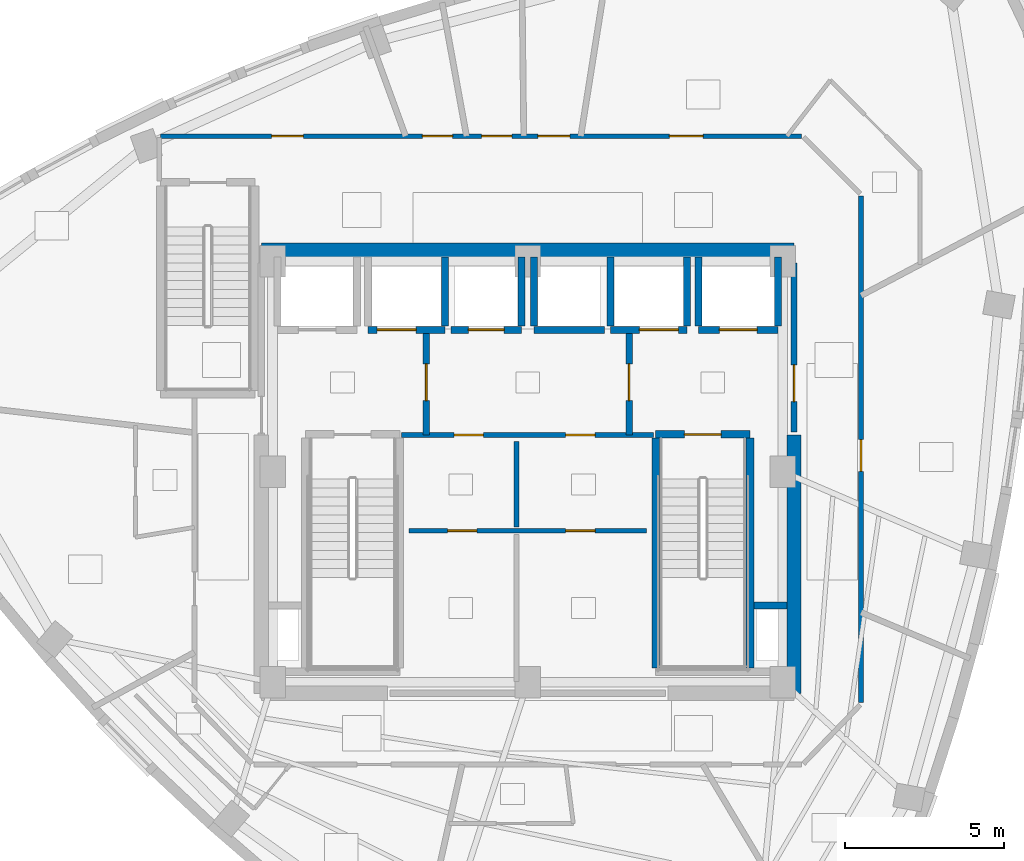
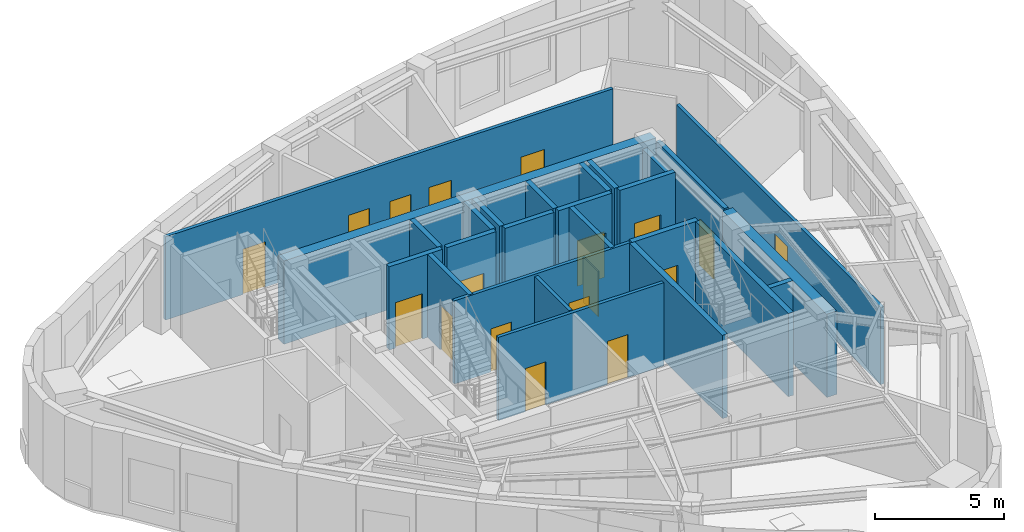
# One storey, part 4 of 9: 26 walls, 18 doors, 18 openings.
"""IFC4 building model written with IfcOpenShell, lengths in metres."""

from ifc_helpers import new_model, si_unit, direction, frame, frame_2d, origin, place, context, subcontext, project, spatial, rectangle, extrude, material, layer, layer_set, type_object, element, fill, save


model = new_model("IFC4")

# Units and contexts
model_context = context("Model", 3, precision=1e-05, world=origin(), true_north=direction((0.0, 1.0)))
body_context = subcontext(model_context, "Body", "Model", "MODEL_VIEW")
ifc_project = project(units=[si_unit("LENGTHUNIT", "METRE"), si_unit("AREAUNIT", "SQUARE_METRE"), si_unit("VOLUMEUNIT", "CUBIC_METRE"), si_unit("PLANEANGLEUNIT", "RADIAN"), si_unit("MASSUNIT", "GRAM", prefix="KILO")], contexts=[model_context])

# Site, building, storey
site_placement = place(None, origin())
site = spatial("IfcSite", under=ifc_project, at=site_placement, CompositionType="ELEMENT")
building_placement = place(site_placement, origin())
building = spatial("IfcBuilding", under=site, at=building_placement, Name="Ndelora Gate Hotel", CompositionType="ELEMENT")
storey_placement = place(building_placement, frame((0.0, 0.0, 260.199951171875)))
storey = spatial("IfcBuildingStorey", under=building, at=storey_placement, Name="L65", CompositionType="ELEMENT", Elevation=260.199951171875)

# Walls
ifc_material_1 = material(Name="Concrete C50/60", Category="concrete")
ifc_layer_1 = layer(ifc_material_1, 0.449951171875)
ifc_layer_set_1 = layer_set([ifc_layer_1], Name="Concrete C50/60")
wall_type_1 = type_object("IfcWallType", Name="WL-CORE-450", PredefinedType="SHEAR", material=ifc_layer_set_1)
wall_1_placement = place(storey_placement, frame((-8.35009765625, 6.949951171875, 0.0), z_axis=(0.0, 0.0, 1.0), x_axis=(1.0, 0.0, 0.0)))
element("IfcWall", 1, at=wall_1_placement, inside=storey, type_object=wall_type_1, Name="L65 Core Shear Wall N", PredefinedType="SHEAR", context=body_context, shape_type="SweptSolid", body=[
    extrude(rectangle(XDim=16.7001953125, YDim=0.449951171875, at=frame_2d((8.35009765625, 0.0))), origin(), (0.0, 0.0, 1.0), 3.949951171875),
])
wall_2_placement = place(storey_placement, frame((8.35009765625, -6.949951171875, 0.0), z_axis=(0.0, 0.0, 1.0), x_axis=(0.0, 1.0, 0.0)))
element("IfcWall", 2, at=wall_2_placement, inside=storey, type_object=wall_type_1, Name="L65 Core Shear Wall E", PredefinedType="SHEAR", context=body_context, shape_type="SweptSolid", body=[
    extrude(rectangle(XDim=8.099853515625, YDim=0.449951171875, at=frame_2d((4.0498046875, 0.0))), origin(), (0.0, 0.0, 1.0), 3.949951171875),
])

# Wall, opening, door
ifc_material_2 = material(Name="Concrete C40/50", Category="concrete")
ifc_layer_2 = layer(ifc_material_2, 0.199951171875)
ifc_layer_set_2 = layer_set([ifc_layer_2], Name="Concrete C40/50")
wall_type_2 = type_object("IfcWallType", Name="WL-FIRE-200", PredefinedType="PARTITIONING", material=ifc_layer_set_2)
wall_3_placement = place(storey_placement, frame((-3.179931640625, 1.14990234375, 0.0), z_axis=(0.0, 0.0, 1.0), x_axis=(0.0, 1.0, 0.0)))
wall_3 = element("IfcWall", 3, at=wall_3_placement, inside=storey, type_object=wall_type_2, Name="L65 Interior Wall IW-2", PredefinedType="PARTITIONING", context=body_context, shape_type="SweptSolid", body=[
    extrude(rectangle(XDim=3.300048828125, YDim=0.199951171875, at=frame_2d((1.64990234375, 0.0))), origin(), (0.0, 0.0, 1.0), 3.949951171875),
])
opening_1_placement = place(wall_3_placement, frame((1.080078125, 0.0, 0.0)))
opening_1 = element("IfcOpeningElement", 4, at=opening_1_placement, cuts=wall_3, Name="Opening FD1", PredefinedType="OPENING", context=body_context, shape_type="SweptSolid", body=[
    extrude(rectangle(XDim=1.14990234375, YDim=2.14990234375, at=frame_2d((0.574951171875, 1.074951171875))), frame((0.0, 0.10986328125, 0.0), z_axis=(0.0, -1.0, 0.0), x_axis=(1.0, 0.0, 0.0)), (0.0, 0.0, 1.0), 0.219970703125),
])
ifc_material_3 = material(Name="Fire-Rated Timber-Veneer Steel Core", Category="steel")
door_type_1 = type_object("IfcDoorType", Name="DR-FD60", OperationType="SINGLE_SWING_LEFT", PredefinedType="DOOR", material=ifc_material_3)
door_1_placement = place(opening_1_placement, origin())
door_1 = element("IfcDoor", 5, at=door_1_placement, inside=storey, type_object=door_type_1, Name="L65 Firefighting Lobby West Door", OperationType="SINGLE_SWING_RIGHT", OverallHeight=2.14990234375, OverallWidth=1.14990234375, PredefinedType="DOOR", context=body_context, shape_type="SweptSolid", body=[
    extrude(rectangle(XDim=1.14990234375, YDim=2.14990234375, at=frame_2d((0.574951171875, 1.074951171875))), frame((0.0, 0.02490234375, 0.0), z_axis=(0.0, -1.0, 0.0), x_axis=(1.0, 0.0, 0.0)), (0.0, 0.0, 1.0), 0.050048828125),
])
fill(opening_1, door_1)

wall_4_placement = place(storey_placement, frame((3.179931640625, 1.14990234375, 0.0), z_axis=(0.0, 0.0, 1.0), x_axis=(0.0, 1.0, 0.0)))
wall_4 = element("IfcWall", 6, at=wall_4_placement, inside=storey, type_object=wall_type_2, Name="L65 Interior Wall IW-2", PredefinedType="PARTITIONING", context=body_context, shape_type="SweptSolid", body=[
    extrude(rectangle(XDim=3.300048828125, YDim=0.199951171875, at=frame_2d((1.64990234375, 0.0))), origin(), (0.0, 0.0, 1.0), 3.949951171875),
])
opening_2_placement = place(wall_4_placement, frame((1.080078125, 0.0, 0.0)))
opening_2 = element("IfcOpeningElement", 7, at=opening_2_placement, cuts=wall_4, Name="Opening FD1", PredefinedType="OPENING", context=body_context, shape_type="SweptSolid", body=[
    extrude(rectangle(XDim=1.14990234375, YDim=2.14990234375, at=frame_2d((0.574951171875, 1.074951171875))), frame((0.0, 0.10986328125, 0.0), z_axis=(0.0, -1.0, 0.0), x_axis=(1.0, 0.0, 0.0)), (0.0, 0.0, 1.0), 0.219970703125),
])
door_2_placement = place(opening_2_placement, origin())
door_2 = element("IfcDoor", 8, at=door_2_placement, inside=storey, type_object=door_type_1, Name="L65 Firefighting Lobby East Door", OperationType="SINGLE_SWING_LEFT", OverallHeight=2.14990234375, OverallWidth=1.14990234375, PredefinedType="DOOR", context=body_context, shape_type="SweptSolid", body=[
    extrude(rectangle(XDim=1.14990234375, YDim=2.14990234375, at=frame_2d((0.574951171875, 1.074951171875))), frame((0.0, 0.02490234375, 0.0), z_axis=(0.0, -1.0, 0.0), x_axis=(1.0, 0.0, 0.0)), (0.0, 0.0, 1.0), 0.050048828125),
])
fill(opening_2, door_2)

wall_5_placement = place(storey_placement, frame((8.35009765625, 1.25, 0.0), z_axis=(0.0, 0.0, 1.0), x_axis=(0.0, 1.0, 0.0)))
wall_5 = element("IfcWall", 9, at=wall_5_placement, inside=storey, type_object=wall_type_2, Name="L65 Interior Wall IW-2", PredefinedType="PARTITIONING", context=body_context, shape_type="SweptSolid", body=[
    extrude(rectangle(XDim=5.300048828125, YDim=0.199951171875, at=frame_2d((2.64990234375, 0.0))), origin(), (0.0, 0.0, 1.0), 3.949951171875),
])
opening_3_placement = place(wall_5_placement, frame((0.949951171875, 0.0, 0.0)))
opening_3 = element("IfcOpeningElement", 10, at=opening_3_placement, cuts=wall_5, Name="Opening FD1", PredefinedType="OPENING", context=body_context, shape_type="SweptSolid", body=[
    extrude(rectangle(XDim=1.14990234375, YDim=2.14990234375, at=frame_2d((0.574951171875, 1.074951171875))), frame((0.0, 0.10986328125, 0.0), z_axis=(0.0, -1.0, 0.0), x_axis=(1.0, 0.0, 0.0)), (0.0, 0.0, 1.0), 0.219970703125),
])
door_3_placement = place(opening_3_placement, origin())
door_3 = element("IfcDoor", 11, at=door_3_placement, inside=storey, type_object=door_type_1, Name="L65 Firefighting Lobby East Corridor Door", OperationType="SINGLE_SWING_RIGHT", OverallHeight=2.14990234375, OverallWidth=1.14990234375, PredefinedType="DOOR", context=body_context, shape_type="SweptSolid", body=[
    extrude(rectangle(XDim=1.14990234375, YDim=2.14990234375, at=frame_2d((0.574951171875, 1.074951171875))), frame((0.0, 0.02490234375, 0.0), z_axis=(0.0, -1.0, 0.0), x_axis=(1.0, 0.0, 0.0)), (0.0, 0.0, 1.0), 0.050048828125),
])
fill(opening_3, door_3)

# Wall, openings, doors
ifc_material_4 = material(Name="Fire-Rated Gypsum Stud Partition", Category="gypsum")
ifc_layer_3 = layer(ifc_material_4, 0.14990234375)
ifc_layer_set_3 = layer_set([ifc_layer_3], Name="Fire-Rated Gypsum Stud Partition")
wall_type_3 = type_object("IfcWallType", Name="WL-PART-150", PredefinedType="PARTITIONING", material=ifc_layer_set_3)
wall_6_placement = place(storey_placement, frame((3.949951171875, 1.14990234375, 0.0), z_axis=(0.0, 0.0, 1.0), x_axis=(-1.0, 0.0, 0.0)))
wall_6 = element("IfcWall", 12, at=wall_6_placement, inside=storey, type_object=wall_type_3, Name="L65 Interior Wall IW-5", PredefinedType="PARTITIONING", context=body_context, shape_type="SweptSolid", body=[
    extrude(rectangle(XDim=7.89990234375, YDim=0.14990234375, at=frame_2d((3.949951171875, 0.0))), origin(), (0.0, 0.0, 1.0), 3.949951171875),
])
opening_4_placement = place(wall_6_placement, frame((5.340087890625, 0.0, 0.0)))
opening_4 = element("IfcOpeningElement", 13, at=opening_4_placement, cuts=wall_6, Name="Opening D04", PredefinedType="OPENING", context=body_context, shape_type="SweptSolid", body=[
    extrude(rectangle(XDim=0.919921875, YDim=2.050048828125, at=frame_2d((0.4599609375, 1.02490234375))), frame((0.0, 0.0849609375, 0.0), z_axis=(0.0, -1.0, 0.0), x_axis=(1.0, 0.0, 0.0)), (0.0, 0.0, 1.0), 0.169921875),
])
opening_5_placement = place(wall_6_placement, frame((1.840087890625, 0.0, 0.0)))
opening_5 = element("IfcOpeningElement", 14, at=opening_5_placement, cuts=wall_6, Name="Opening D04", PredefinedType="OPENING", context=body_context, shape_type="SweptSolid", body=[
    extrude(rectangle(XDim=0.919921875, YDim=2.050048828125, at=frame_2d((0.4599609375, 1.02490234375))), frame((0.0, 0.0849609375, 0.0), z_axis=(0.0, -1.0, 0.0), x_axis=(1.0, 0.0, 0.0)), (0.0, 0.0, 1.0), 0.169921875),
])
ifc_material_5 = material(Name="Painted Steel Core Service Door", Category="steel")
door_type_2 = type_object("IfcDoorType", Name="DR-SER-920", OperationType="SINGLE_SWING_LEFT", PredefinedType="DOOR", material=ifc_material_5)
door_4_placement = place(opening_4_placement, origin())
door_4 = element("IfcDoor", 15, at=door_4_placement, inside=storey, type_object=door_type_2, Name="L65 Core Electrical Closet Door", OperationType="SINGLE_SWING_LEFT", OverallHeight=2.050048828125, OverallWidth=0.919921875, PredefinedType="DOOR", context=body_context, shape_type="SweptSolid", body=[
    extrude(rectangle(XDim=0.919921875, YDim=2.050048828125, at=frame_2d((0.4599609375, 1.02490234375))), frame((0.0, 0.02490234375, 0.0), z_axis=(0.0, -1.0, 0.0), x_axis=(1.0, 0.0, 0.0)), (0.0, 0.0, 1.0), 0.050048828125),
])
fill(opening_4, door_4)
door_5_placement = place(opening_5_placement, origin())
door_5 = element("IfcDoor", 16, at=door_5_placement, inside=storey, type_object=door_type_2, Name="L65 Comms Patching Store Door", OperationType="SINGLE_SWING_RIGHT", OverallHeight=2.050048828125, OverallWidth=0.919921875, PredefinedType="DOOR", context=body_context, shape_type="SweptSolid", body=[
    extrude(rectangle(XDim=0.919921875, YDim=2.050048828125, at=frame_2d((0.4599609375, 1.02490234375))), frame((0.0, 0.02490234375, 0.0), z_axis=(0.0, -1.0, 0.0), x_axis=(1.0, 0.0, 0.0)), (0.0, 0.0, 1.0), 0.050048828125),
])
fill(opening_5, door_5)

wall_7_placement = place(storey_placement, frame((-3.719970703125, -1.85009765625, 0.0), z_axis=(0.0, 0.0, 1.0), x_axis=(1.0, 0.0, 0.0)))
wall_7 = element("IfcWall", 17, at=wall_7_placement, inside=storey, type_object=wall_type_3, Name="L65 Interior Wall IW-5", PredefinedType="PARTITIONING", context=body_context, shape_type="SweptSolid", body=[
    extrude(rectangle(XDim=7.43994140625, YDim=0.14990234375, at=frame_2d((3.719970703125, 0.0))), origin(), (0.0, 0.0, 1.0), 3.949951171875),
])
opening_6_placement = place(wall_7_placement, frame((1.2099609375, 0.0, 0.0)))
opening_6 = element("IfcOpeningElement", 18, at=opening_6_placement, cuts=wall_7, Name="Opening D04", PredefinedType="OPENING", context=body_context, shape_type="SweptSolid", body=[
    extrude(rectangle(XDim=0.919921875, YDim=2.050048828125, at=frame_2d((0.4599609375, 1.02490234375))), frame((0.0, 0.0849609375, 0.0), z_axis=(0.0, -1.0, 0.0), x_axis=(1.0, 0.0, 0.0)), (0.0, 0.0, 1.0), 0.169921875),
])
opening_7_placement = place(wall_7_placement, frame((4.909912109375, 0.0, 0.0)))
opening_7 = element("IfcOpeningElement", 19, at=opening_7_placement, cuts=wall_7, Name="Opening D04", PredefinedType="OPENING", context=body_context, shape_type="SweptSolid", body=[
    extrude(rectangle(XDim=0.919921875, YDim=2.050048828125, at=frame_2d((0.4599609375, 1.02490234375))), frame((0.0, 0.0849609375, 0.0), z_axis=(0.0, -1.0, 0.0), x_axis=(1.0, 0.0, 0.0)), (0.0, 0.0, 1.0), 0.169921875),
])
door_6_placement = place(opening_6_placement, origin())
door_6 = element("IfcDoor", 20, at=door_6_placement, inside=storey, type_object=door_type_2, Name="L65 Core Service Internal Door", OperationType="SINGLE_SWING_LEFT", OverallHeight=2.050048828125, OverallWidth=0.919921875, PredefinedType="DOOR", context=body_context, shape_type="SweptSolid", body=[
    extrude(rectangle(XDim=0.919921875, YDim=2.050048828125, at=frame_2d((0.4599609375, 1.02490234375))), frame((0.0, 0.02490234375, 0.0), z_axis=(0.0, -1.0, 0.0), x_axis=(1.0, 0.0, 0.0)), (0.0, 0.0, 1.0), 0.050048828125),
])
fill(opening_6, door_6)
door_7_placement = place(opening_7_placement, origin())
door_7 = element("IfcDoor", 21, at=door_7_placement, inside=storey, type_object=door_type_2, Name="L65 Core Service Internal Door", OperationType="SINGLE_SWING_LEFT", OverallHeight=2.050048828125, OverallWidth=0.919921875, PredefinedType="DOOR", context=body_context, shape_type="SweptSolid", body=[
    extrude(rectangle(XDim=0.919921875, YDim=2.050048828125, at=frame_2d((0.4599609375, 1.02490234375))), frame((0.0, 0.02490234375, 0.0), z_axis=(0.0, -1.0, 0.0), x_axis=(1.0, 0.0, 0.0)), (0.0, 0.0, 1.0), 0.050048828125),
])
fill(opening_7, door_7)

# Wall
wall_8_placement = place(storey_placement, frame((-0.35009765625, -1.72998046875, 0.0), z_axis=(0.0, 0.0, 1.0), x_axis=(0.0, 1.0, 0.0)))
element("IfcWall", 22, at=wall_8_placement, inside=storey, type_object=wall_type_3, Name="L65 Interior Wall IW-5", PredefinedType="PARTITIONING", context=body_context, shape_type="SweptSolid", body=[
    extrude(rectangle(XDim=2.679931640625, YDim=0.14990234375, at=frame_2d((1.33984375, 0.0))), origin(), (0.0, 0.0, 1.0), 3.949951171875),
])

# Wall, opening, door
wall_9_placement = place(storey_placement, frame((10.449951171875, 8.64990234375, 0.0), z_axis=(0.0, 0.0, 1.0), x_axis=(0.0, -1.0, 0.0)))
wall_9 = element("IfcWall", 23, at=wall_9_placement, inside=storey, type_object=wall_type_3, Name="L65 Interior Wall IW-5", PredefinedType="PARTITIONING", context=body_context, shape_type="SweptSolid", body=[
    extrude(rectangle(XDim=15.889892578125, YDim=0.14990234375, at=frame_2d((7.94482421875, 0.0))), origin(), (0.0, 0.0, 1.0), 3.66015625),
])
opening_8_placement = place(wall_9_placement, frame((7.64111328125, 0.0, 0.0)))
opening_8 = element("IfcOpeningElement", 24, at=opening_8_placement, cuts=wall_9, Name="Opening D01", PredefinedType="OPENING", context=body_context, shape_type="SweptSolid", body=[
    extrude(rectangle(XDim=1.0, YDim=2.14990234375, at=frame_2d((0.5, 1.074951171875))), frame((0.0, 0.0849609375, 0.0), z_axis=(0.0, -1.0, 0.0), x_axis=(1.0, 0.0, 0.0)), (0.0, 0.0, 1.0), 0.169921875),
])
ifc_material_6 = material(Name="Acoustic Hardwood Guest Entrance Door", Category="wood")
door_type_3 = type_object("IfcDoorType", Name="DR-COR-1000", OperationType="SINGLE_SWING_LEFT", PredefinedType="DOOR", material=ifc_material_6)
door_8_placement = place(opening_8_placement, origin())
door_8 = element("IfcDoor", 25, at=door_8_placement, inside=storey, type_object=door_type_3, Name="L65 Crown Horizon Salon Entrance Door", OperationType="SINGLE_SWING_RIGHT", OverallHeight=2.14990234375, OverallWidth=1.0, PredefinedType="DOOR", context=body_context, shape_type="SweptSolid", body=[
    extrude(rectangle(XDim=1.0, YDim=2.14990234375, at=frame_2d((0.5, 1.074951171875))), frame((0.0, 0.02490234375, 0.0), z_axis=(0.0, -1.0, 0.0), x_axis=(1.0, 0.0, 0.0)), (0.0, 0.0, 1.0), 0.050048828125),
])
fill(opening_8, door_8)

# Wall, openings, doors
wall_10_placement = place(storey_placement, frame((-11.510009765625, 10.52001953125, 0.0), z_axis=(0.0, 0.0, 1.0), x_axis=(1.0, 0.0, 0.0)))
wall_10 = element("IfcWall", 26, at=wall_10_placement, inside=storey, type_object=wall_type_3, Name="L65 Interior Wall IW-5", PredefinedType="PARTITIONING", context=body_context, shape_type="SweptSolid", body=[
    extrude(rectangle(XDim=20.090087890625, YDim=0.14990234375, at=frame_2d((10.044921875, 0.0))), origin(), (0.0, 0.0, 1.0), 3.949951171875),
])
opening_9_placement = place(wall_10_placement, frame((8.2060546875, 0.0, 0.0)))
opening_9 = element("IfcOpeningElement", 27, at=opening_9_placement, cuts=wall_10, Name="Opening D05", PredefinedType="OPENING", context=body_context, shape_type="SweptSolid", body=[
    extrude(rectangle(XDim=0.949951171875, YDim=2.10009765625, at=frame_2d((0.47509765625, 1.050048828125))), frame((0.0, 0.0849609375, 0.0), z_axis=(0.0, -1.0, 0.0), x_axis=(1.0, 0.0, 0.0)), (0.0, 0.0, 1.0), 0.169921875),
])
opening_10_placement = place(wall_10_placement, frame((10.062744140625, 0.0, 0.0)))
opening_10 = element("IfcOpeningElement", 28, at=opening_10_placement, cuts=wall_10, Name="Opening D05", PredefinedType="OPENING", context=body_context, shape_type="SweptSolid", body=[
    extrude(rectangle(XDim=0.949951171875, YDim=2.10009765625, at=frame_2d((0.47509765625, 1.050048828125))), frame((0.0, 0.0849609375, 0.0), z_axis=(0.0, -1.0, 0.0), x_axis=(1.0, 0.0, 0.0)), (0.0, 0.0, 1.0), 0.169921875),
])
opening_11_placement = place(wall_10_placement, frame((11.831787109375, 0.0, 0.0)))
opening_11 = element("IfcOpeningElement", 29, at=opening_11_placement, cuts=wall_10, Name="Opening D01", PredefinedType="OPENING", context=body_context, shape_type="SweptSolid", body=[
    extrude(rectangle(XDim=1.0, YDim=2.14990234375, at=frame_2d((0.5, 1.074951171875))), frame((0.0, 0.0849609375, 0.0), z_axis=(0.0, -1.0, 0.0), x_axis=(1.0, 0.0, 0.0)), (0.0, 0.0, 1.0), 0.169921875),
])
opening_12_placement = place(wall_10_placement, frame((3.48046875, 0.0, 0.0)))
opening_12 = element("IfcOpeningElement", 30, at=opening_12_placement, cuts=wall_10, Name="Opening D01", PredefinedType="OPENING", context=body_context, shape_type="SweptSolid", body=[
    extrude(rectangle(XDim=1.0, YDim=2.14990234375, at=frame_2d((0.5, 1.074951171875))), frame((0.0, 0.0849609375, 0.0), z_axis=(0.0, -1.0, 0.0), x_axis=(1.0, 0.0, 0.0)), (0.0, 0.0, 1.0), 0.169921875),
])
opening_13_placement = place(wall_10_placement, frame((15.947998046875, 0.0, 0.0)))
opening_13 = element("IfcOpeningElement", 31, at=opening_13_placement, cuts=wall_10, Name="Opening D07", PredefinedType="OPENING", context=body_context, shape_type="SweptSolid", body=[
    extrude(rectangle(XDim=1.06005859375, YDim=2.14990234375, at=frame_2d((0.530029296875, 1.074951171875))), frame((0.0, 0.0849609375, 0.0), z_axis=(0.0, -1.0, 0.0), x_axis=(1.0, 0.0, 0.0)), (0.0, 0.0, 1.0), 0.169921875),
])
ifc_material_7 = material(Name="Accessible Restroom Wide-Clearance Door", Category="wood")
door_type_4 = type_object("IfcDoorType", Name="DR-ACC-950", OperationType="SINGLE_SWING_LEFT", PredefinedType="DOOR", material=ifc_material_7)
door_9_placement = place(opening_9_placement, origin())
door_9 = element("IfcDoor", 32, at=door_9_placement, inside=storey, type_object=door_type_4, Name="L65 Accessible WC Entrance Door", OperationType="SINGLE_SWING_RIGHT", OverallHeight=2.10009765625, OverallWidth=0.949951171875, PredefinedType="DOOR", context=body_context, shape_type="SweptSolid", body=[
    extrude(rectangle(XDim=0.949951171875, YDim=2.10009765625, at=frame_2d((0.47509765625, 1.050048828125))), frame((0.0, 0.02490234375, 0.0), z_axis=(0.0, -1.0, 0.0), x_axis=(1.0, 0.0, 0.0)), (0.0, 0.0, 1.0), 0.050048828125),
])
fill(opening_9, door_9)
door_10_placement = place(opening_10_placement, origin())
door_10 = element("IfcDoor", 33, at=door_10_placement, inside=storey, type_object=door_type_4, Name="L65 Male Public Restroom Entrance Door", OperationType="SINGLE_SWING_LEFT", OverallHeight=2.10009765625, OverallWidth=0.949951171875, PredefinedType="DOOR", context=body_context, shape_type="SweptSolid", body=[
    extrude(rectangle(XDim=0.949951171875, YDim=2.10009765625, at=frame_2d((0.47509765625, 1.050048828125))), frame((0.0, 0.02490234375, 0.0), z_axis=(0.0, -1.0, 0.0), x_axis=(1.0, 0.0, 0.0)), (0.0, 0.0, 1.0), 0.050048828125),
])
fill(opening_10, door_10)
door_11_placement = place(opening_11_placement, origin())
door_11 = element("IfcDoor", 34, at=door_11_placement, inside=storey, type_object=door_type_3, Name="L65 Housekeeping and Linen Room Entrance Door", OperationType="SINGLE_SWING_RIGHT", OverallHeight=2.14990234375, OverallWidth=1.0, PredefinedType="DOOR", context=body_context, shape_type="SweptSolid", body=[
    extrude(rectangle(XDim=1.0, YDim=2.14990234375, at=frame_2d((0.5, 1.074951171875))), frame((0.0, 0.02490234375, 0.0), z_axis=(0.0, -1.0, 0.0), x_axis=(1.0, 0.0, 0.0)), (0.0, 0.0, 1.0), 0.050048828125),
])
fill(opening_11, door_11)
door_12_placement = place(opening_12_placement, origin())
door_12 = element("IfcDoor", 35, at=door_12_placement, inside=storey, type_object=door_type_3, Name="L65 Sky Garden Tea Dining Room Entrance Door", OperationType="SINGLE_SWING_LEFT", OverallHeight=2.14990234375, OverallWidth=1.0, PredefinedType="DOOR", context=body_context, shape_type="SweptSolid", body=[
    extrude(rectangle(XDim=1.0, YDim=2.14990234375, at=frame_2d((0.5, 1.074951171875))), frame((0.0, 0.02490234375, 0.0), z_axis=(0.0, -1.0, 0.0), x_axis=(1.0, 0.0, 0.0)), (0.0, 0.0, 1.0), 0.050048828125),
])
fill(opening_12, door_12)
ifc_material_8 = material(Name="Diplomatic Suite Acoustic Entrance Door", Category="wood")
door_type_5 = type_object("IfcDoorType", Name="DR-SUITE-1060", OperationType="SINGLE_SWING_LEFT", PredefinedType="DOOR", material=ifc_material_8)
door_13_placement = place(opening_13_placement, origin())
door_13 = element("IfcDoor", 36, at=door_13_placement, inside=storey, type_object=door_type_5, Name="L65 Crown Horizon Suite 6804 Entrance Door", OperationType="SINGLE_SWING_RIGHT", OverallHeight=2.14990234375, OverallWidth=1.06005859375, PredefinedType="DOOR", context=body_context, shape_type="SweptSolid", body=[
    extrude(rectangle(XDim=1.06005859375, YDim=2.14990234375, at=frame_2d((0.530029296875, 1.074951171875))), frame((0.0, 0.02490234375, 0.0), z_axis=(0.0, -1.0, 0.0), x_axis=(1.0, 0.0, 0.0)), (0.0, 0.0, 1.0), 0.050048828125),
])
fill(opening_13, door_13)

# Wall
ifc_layer_4 = layer(ifc_material_2, 0.219970703125)
ifc_layer_set_4 = layer_set([ifc_layer_4], Name="Concrete C40/50")
wall_type_4 = type_object("IfcWallType", Name="WL-SHAFT-220", PredefinedType="PARTITIONING", material=ifc_layer_set_4)
wall_11_placement = place(storey_placement, frame((7.090087890625, -4.199951171875, 0.0), z_axis=(0.0, 0.0, 1.0), x_axis=(1.0, 0.0, 0.0)))
element("IfcWall", 37, at=wall_11_placement, inside=storey, type_object=wall_type_4, Name="L65 Interior Wall IW-1", PredefinedType="PARTITIONING", context=body_context, shape_type="SweptSolid", body=[
    extrude(rectangle(XDim=1.034912109375, YDim=0.219970703125, at=frame_2d((0.517578125, 0.0))), origin(), (0.0, 0.0, 1.0), 3.949951171875),
])

# Wall, opening, door
wall_12_placement = place(storey_placement, frame((5.35009765625, 4.449951171875, 0.0), z_axis=(0.0, 0.0, 1.0), x_axis=(1.0, 0.0, 0.0)))
wall_12 = element("IfcWall", 38, at=wall_12_placement, inside=storey, type_object=wall_type_4, Name="L65 Interior Wall IW-1", PredefinedType="PARTITIONING", context=body_context, shape_type="SweptSolid", body=[
    extrude(rectangle(XDim=2.5, YDim=0.219970703125, at=frame_2d((1.25, 0.0))), origin(), (0.0, 0.0, 1.0), 3.949951171875),
])
opening_14_placement = place(wall_12_placement, frame((0.659912109375, 0.0, 0.0)))
opening_14 = element("IfcOpeningElement", 39, at=opening_14_placement, cuts=wall_12, Name="Opening LD5", PredefinedType="OPENING", context=body_context, shape_type="SweptSolid", body=[
    extrude(rectangle(XDim=1.179931640625, YDim=2.14990234375, at=frame_2d((0.58984375, 1.074951171875))), frame((0.0, 0.1201171875, 0.0), z_axis=(0.0, -1.0, 0.0), x_axis=(1.0, 0.0, 0.0)), (0.0, 0.0, 1.0), 0.239990234375),
])
ifc_material_9 = material(Name="Firefighting Lift Stainless Sliding Landing Door", Category="metal")
door_type_6 = type_object("IfcDoorType", Name="DR-LD5", OperationType="DOUBLE_DOOR_SLIDING", PredefinedType="DOOR", material=ifc_material_9)
door_14_placement = place(opening_14_placement, origin())
door_14 = element("IfcDoor", 40, at=door_14_placement, inside=storey, type_object=door_type_6, Name="L65 Lift Landing Sliding Door FFL2", OperationType="DOUBLE_DOOR_SLIDING", OverallHeight=2.14990234375, OverallWidth=1.179931640625, PredefinedType="DOOR", context=body_context, shape_type="SweptSolid", body=[
    extrude(rectangle(XDim=1.179931640625, YDim=2.14990234375, at=frame_2d((0.58984375, 1.074951171875))), frame((0.0, 0.02490234375, 0.0), z_axis=(0.0, -1.0, 0.0), x_axis=(1.0, 0.0, 0.0)), (0.0, 0.0, 1.0), 0.050048828125),
])
fill(opening_14, door_14)

# Walls
wall_13_placement = place(storey_placement, frame((5.35009765625, 4.570068359375, 0.0), z_axis=(0.0, 0.0, 1.0), x_axis=(0.0, 1.0, 0.0)))
element("IfcWall", 41, at=wall_13_placement, inside=storey, type_object=wall_type_4, Name="L65 Interior Wall IW-1", PredefinedType="PARTITIONING", context=body_context, shape_type="SweptSolid", body=[
    extrude(rectangle(XDim=2.155029296875, YDim=0.219970703125, at=frame_2d((1.07763671875, 0.0))), origin(), (0.0, 0.0, 1.0), 3.949951171875),
])
wall_14_placement = place(storey_placement, frame((7.85009765625, 4.570068359375, 0.0), z_axis=(0.0, 0.0, 1.0), x_axis=(0.0, 1.0, 0.0)))
element("IfcWall", 42, at=wall_14_placement, inside=storey, type_object=wall_type_4, Name="L65 Interior Wall IW-1", PredefinedType="PARTITIONING", context=body_context, shape_type="SweptSolid", body=[
    extrude(rectangle(XDim=2.155029296875, YDim=0.219970703125, at=frame_2d((1.07763671875, 0.0))), origin(), (0.0, 0.0, 1.0), 3.630126953125),
])

# Wall, opening, door
wall_15_placement = place(storey_placement, frame((-5.0, 4.449951171875, 0.0), z_axis=(0.0, 0.0, 1.0), x_axis=(1.0, 0.0, 0.0)))
wall_15 = element("IfcWall", 43, at=wall_15_placement, inside=storey, type_object=wall_type_4, Name="L65 Interior Wall IW-1", PredefinedType="PARTITIONING", context=body_context, shape_type="SweptSolid", body=[
    extrude(rectangle(XDim=2.39990234375, YDim=0.219970703125, at=frame_2d((1.199951171875, 0.0))), origin(), (0.0, 0.0, 1.0), 3.949951171875),
])
opening_15_placement = place(wall_15_placement, frame((0.280029296875, 0.0, 0.0)))
opening_15 = element("IfcOpeningElement", 44, at=opening_15_placement, cuts=wall_15, Name="Opening LD6", PredefinedType="OPENING", context=body_context, shape_type="SweptSolid", body=[
    extrude(rectangle(XDim=1.219970703125, YDim=2.14990234375, at=frame_2d((0.60986328125, 1.074951171875))), frame((0.0, 0.1201171875, 0.0), z_axis=(0.0, -1.0, 0.0), x_axis=(1.0, 0.0, 0.0)), (0.0, 0.0, 1.0), 0.239990234375),
])
ifc_material_10 = material(Name="Heavy-Duty Service Lift Sliding Landing Door", Category="wood")
door_type_7 = type_object("IfcDoorType", Name="DR-LD6", OperationType="DOUBLE_DOOR_SLIDING", PredefinedType="DOOR", material=ifc_material_10)
door_15_placement = place(opening_15_placement, origin())
door_15 = element("IfcDoor", 45, at=door_15_placement, inside=storey, type_object=door_type_7, Name="L65 Lift Landing Sliding Door SVL1", OperationType="DOUBLE_DOOR_SLIDING", OverallHeight=2.14990234375, OverallWidth=1.219970703125, PredefinedType="DOOR", context=body_context, shape_type="SweptSolid", body=[
    extrude(rectangle(XDim=1.219970703125, YDim=2.14990234375, at=frame_2d((0.60986328125, 1.074951171875))), frame((0.0, 0.02490234375, 0.0), z_axis=(0.0, -1.0, 0.0), x_axis=(1.0, 0.0, 0.0)), (0.0, 0.0, 1.0), 0.050048828125),
])
fill(opening_15, door_15)

# Wall
wall_16_placement = place(storey_placement, frame((-2.60009765625, 4.570068359375, 0.0), z_axis=(0.0, 0.0, 1.0), x_axis=(0.0, 1.0, 0.0)))
element("IfcWall", 46, at=wall_16_placement, inside=storey, type_object=wall_type_4, Name="L65 Interior Wall IW-1", PredefinedType="PARTITIONING", context=body_context, shape_type="SweptSolid", body=[
    extrude(rectangle(XDim=2.155029296875, YDim=0.219970703125, at=frame_2d((1.07763671875, 0.0))), origin(), (0.0, 0.0, 1.0), 3.949951171875),
])

# Wall, opening, door
wall_17_placement = place(storey_placement, frame((2.60009765625, 4.449951171875, 0.0), z_axis=(0.0, 0.0, 1.0), x_axis=(1.0, 0.0, 0.0)))
wall_17 = element("IfcWall", 47, at=wall_17_placement, inside=storey, type_object=wall_type_4, Name="L65 Interior Wall IW-1", PredefinedType="PARTITIONING", context=body_context, shape_type="SweptSolid", body=[
    extrude(rectangle(XDim=2.39990234375, YDim=0.219970703125, at=frame_2d((1.199951171875, 0.0))), origin(), (0.0, 0.0, 1.0), 3.949951171875),
])
opening_16_placement = place(wall_17_placement, frame((0.89990234375, 0.0, 0.0)))
opening_16 = element("IfcOpeningElement", 48, at=opening_16_placement, cuts=wall_17, Name="Opening LD6", PredefinedType="OPENING", context=body_context, shape_type="SweptSolid", body=[
    extrude(rectangle(XDim=1.219970703125, YDim=2.14990234375, at=frame_2d((0.60986328125, 1.074951171875))), frame((0.0, 0.1201171875, 0.0), z_axis=(0.0, -1.0, 0.0), x_axis=(1.0, 0.0, 0.0)), (0.0, 0.0, 1.0), 0.239990234375),
])
door_16_placement = place(opening_16_placement, origin())
door_16 = element("IfcDoor", 49, at=door_16_placement, inside=storey, type_object=door_type_7, Name="L65 Lift Landing Sliding Door SVL2", OperationType="DOUBLE_DOOR_SLIDING", OverallHeight=2.14990234375, OverallWidth=1.219970703125, PredefinedType="DOOR", context=body_context, shape_type="SweptSolid", body=[
    extrude(rectangle(XDim=1.219970703125, YDim=2.14990234375, at=frame_2d((0.60986328125, 1.074951171875))), frame((0.0, 0.02490234375, 0.0), z_axis=(0.0, -1.0, 0.0), x_axis=(1.0, 0.0, 0.0)), (0.0, 0.0, 1.0), 0.050048828125),
])
fill(opening_16, door_16)

# Walls
for number, where, z_axis, x_axis, name in (
    (50, (2.60009765625, 4.570068359375, 0.0), (0.0, 0.0, 1.0), (0.0, 1.0, 0.0), "L65 Interior Wall IW-1"),
    (51, (5.0, 4.570068359375, 0.0), (0.0, 0.0, 1.0), (0.0, 1.0, 0.0), "L65 Interior Wall IW-1"),
):
    element("IfcWall", number, at=place(storey_placement, frame(where, z_axis=z_axis, x_axis=x_axis)), inside=storey, type_object=wall_type_4, Name=name, PredefinedType="PARTITIONING", context=body_context, shape_type="SweptSolid", body=[
        extrude(rectangle(XDim=2.155029296875, YDim=0.219970703125, at=frame_2d((1.07763671875, 0.0))), origin(), (0.0, 0.0, 1.0), 3.949951171875),
    ])

# Wall, opening, door
wall_18_placement = place(storey_placement, frame((-2.39990234375, 4.449951171875, 0.0), z_axis=(0.0, 0.0, 1.0), x_axis=(1.0, 0.0, 0.0)))
wall_18 = element("IfcWall", 52, at=wall_18_placement, inside=storey, type_object=wall_type_4, Name="L65 Interior Wall IW-1", PredefinedType="PARTITIONING", context=body_context, shape_type="SweptSolid", body=[
    extrude(rectangle(XDim=2.199951171875, YDim=0.219970703125, at=frame_2d((1.10009765625, 0.0))), origin(), (0.0, 0.0, 1.0), 3.949951171875),
])
opening_17_placement = place(wall_18_placement, frame((0.5400390625, 0.0, 0.0)))
opening_17 = element("IfcOpeningElement", 53, at=opening_17_placement, cuts=wall_18, Name="Opening LD3", PredefinedType="OPENING", context=body_context, shape_type="SweptSolid", body=[
    extrude(rectangle(XDim=1.1201171875, YDim=2.14990234375, at=frame_2d((0.56005859375, 1.074951171875))), frame((0.0, 0.1201171875, 0.0), z_axis=(0.0, -1.0, 0.0), x_axis=(1.0, 0.0, 0.0)), (0.0, 0.0, 1.0), 0.239990234375),
])
ifc_material_11 = material(Name="Brushed Bronze Stainless Lift Landing Door", Category="metal")
door_type_8 = type_object("IfcDoorType", Name="DR-LD3", OperationType="DOUBLE_DOOR_SLIDING", PredefinedType="DOOR", material=ifc_material_11)
door_17_placement = place(opening_17_placement, origin())
door_17 = element("IfcDoor", 54, at=door_17_placement, inside=storey, type_object=door_type_8, Name="L65 Lift Landing Sliding Door P3A", OperationType="DOUBLE_DOOR_SLIDING", OverallHeight=2.14990234375, OverallWidth=1.1201171875, PredefinedType="DOOR", context=body_context, shape_type="SweptSolid", body=[
    extrude(rectangle(XDim=1.1201171875, YDim=2.14990234375, at=frame_2d((0.56005859375, 1.074951171875))), frame((0.0, 0.02490234375, 0.0), z_axis=(0.0, -1.0, 0.0), x_axis=(1.0, 0.0, 0.0)), (0.0, 0.0, 1.0), 0.050048828125),
])
fill(opening_17, door_17)

# Walls
wall_19_placement = place(storey_placement, frame((-0.199951171875, 4.570068359375, 0.0), z_axis=(0.0, 0.0, 1.0), x_axis=(0.0, 1.0, 0.0)))
element("IfcWall", 55, at=wall_19_placement, inside=storey, type_object=wall_type_4, Name="L65 Interior Wall IW-1", PredefinedType="PARTITIONING", context=body_context, shape_type="SweptSolid", body=[
    extrude(rectangle(XDim=2.155029296875, YDim=0.219970703125, at=frame_2d((1.07763671875, 0.0))), origin(), (0.0, 0.0, 1.0), 3.949951171875),
])
wall_20_placement = place(storey_placement, frame((0.199951171875, 4.449951171875, 0.0), z_axis=(0.0, 0.0, 1.0), x_axis=(1.0, 0.0, 0.0)))
element("IfcWall", 56, at=wall_20_placement, inside=storey, type_object=wall_type_4, Name="L65 Interior Wall IW-1", PredefinedType="PARTITIONING", context=body_context, shape_type="SweptSolid", body=[
    extrude(rectangle(XDim=2.199951171875, YDim=0.219970703125, at=frame_2d((1.10009765625, 0.0))), origin(), (0.0, 0.0, 1.0), 3.949951171875),
])
wall_21_placement = place(storey_placement, frame((0.199951171875, 4.570068359375, 0.0), z_axis=(0.0, 0.0, 1.0), x_axis=(0.0, 1.0, 0.0)))
element("IfcWall", 57, at=wall_21_placement, inside=storey, type_object=wall_type_4, Name="L65 Interior Wall IW-1", PredefinedType="PARTITIONING", context=body_context, shape_type="SweptSolid", body=[
    extrude(rectangle(XDim=2.155029296875, YDim=0.219970703125, at=frame_2d((1.07763671875, 0.0))), origin(), (0.0, 0.0, 1.0), 3.949951171875),
])
ifc_layer_5 = layer(ifc_material_1, 0.239990234375)
ifc_layer_set_5 = layer_set([ifc_layer_5], Name="Concrete C50/60")
wall_type_5 = type_object("IfcWallType", Name="WL-STAIR-240", PredefinedType="SHEAR", material=ifc_layer_set_5)
for number, where, z_axis, x_axis, name in (
    (58, (4.010009765625, -6.159912109375, 0.0), (0.0, 0.0, 1.0), (0.0, 1.0, 0.0), "L65 Stair Core Shear Wall SW-ST"),
    (59, (6.969970703125, -6.159912109375, 0.0), (0.0, 0.0, 1.0), (0.0, 1.0, 0.0), "L65 Stair Core Shear Wall SW-ST"),
):
    element("IfcWall", number, at=place(storey_placement, frame(where, z_axis=z_axis, x_axis=x_axis)), inside=storey, type_object=wall_type_5, Name=name, PredefinedType="SHEAR", context=body_context, shape_type="SweptSolid", body=[
        extrude(rectangle(XDim=7.219970703125, YDim=0.239990234375, at=frame_2d((3.60986328125, 0.0))), origin(), (0.0, 0.0, 1.0), 3.949951171875),
    ])

# Wall, opening, door
wall_22_placement = place(storey_placement, frame((4.010009765625, 1.169921875, 0.0), z_axis=(0.0, 0.0, 1.0), x_axis=(1.0, 0.0, 0.0)))
wall_22 = element("IfcWall", 60, at=wall_22_placement, inside=storey, type_object=wall_type_5, Name="L65 Stair Core Shear Wall SW-ST", PredefinedType="SHEAR", context=body_context, shape_type="SweptSolid", body=[
    extrude(rectangle(XDim=2.9599609375, YDim=0.239990234375, at=frame_2d((1.47998046875, 0.0))), origin(), (0.0, 0.0, 1.0), 3.949951171875),
])
opening_18_placement = place(wall_22_placement, frame((0.89990234375, 0.0, 0.0)))
opening_18 = element("IfcOpeningElement", 61, at=opening_18_placement, cuts=wall_22, Name="Opening FD1", PredefinedType="OPENING", context=body_context, shape_type="SweptSolid", body=[
    extrude(rectangle(XDim=1.14990234375, YDim=2.14990234375, at=frame_2d((0.574951171875, 1.074951171875))), frame((0.0, 0.1298828125, 0.0), z_axis=(0.0, -1.0, 0.0), x_axis=(1.0, 0.0, 0.0)), (0.0, 0.0, 1.0), 0.260009765625),
])
door_18_placement = place(opening_18_placement, origin())
door_18 = element("IfcDoor", 62, at=door_18_placement, inside=storey, type_object=door_type_1, Name="L65 Exit Stair ST5 Door", OperationType="SINGLE_SWING_RIGHT", OverallHeight=2.14990234375, OverallWidth=1.14990234375, PredefinedType="DOOR", context=body_context, shape_type="SweptSolid", body=[
    extrude(rectangle(XDim=1.14990234375, YDim=2.14990234375, at=frame_2d((0.574951171875, 1.074951171875))), frame((0.0, 0.02490234375, 0.0), z_axis=(0.0, -1.0, 0.0), x_axis=(1.0, 0.0, 0.0)), (0.0, 0.0, 1.0), 0.050048828125),
])
fill(opening_18, door_18)

save(model, "model.ifc")
